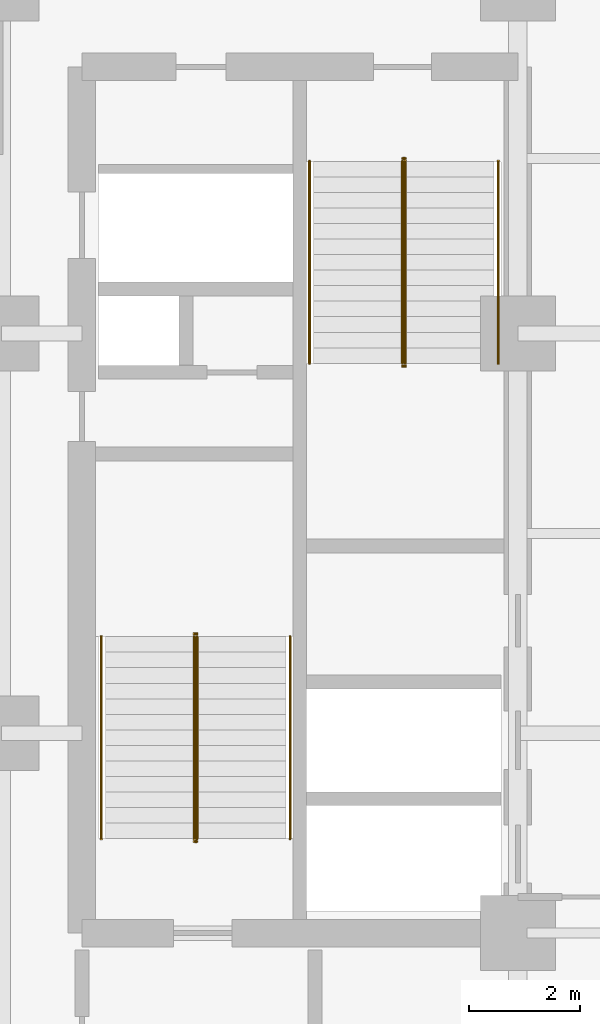
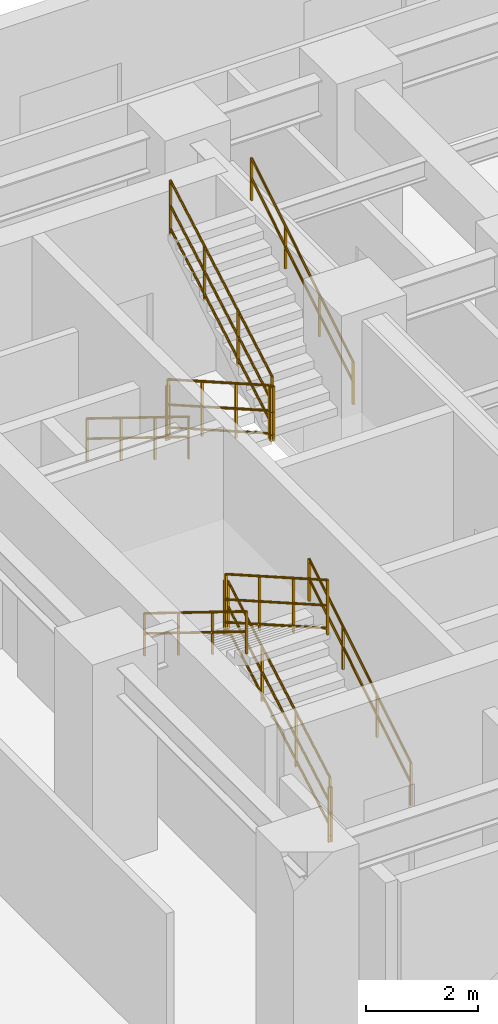
# One storey, part 8 of 9: 12 railings.
"""IFC4 building model written with IfcOpenShell, lengths in metres."""

from ifc_helpers import new_model, entity, si_unit, converted_unit, direction, frame, origin_with_axes, origin_2d_with_axis, place, context, subcontext, project, spatial, rectangle, circle, extrude, material, type_object, element, save


model = new_model("IFC4")

# Units and contexts
model_context = context("Model", 3, precision=1e-05, world=origin_with_axes(), true_north=direction((0.0, 1.0)))
body_context = subcontext(model_context, "Body", "Model", "MODEL_VIEW")
ifc_project = project(units=[si_unit("LENGTHUNIT", "METRE"), si_unit("AREAUNIT", "SQUARE_METRE"), si_unit("VOLUMEUNIT", "CUBIC_METRE"), converted_unit("PLANEANGLEUNIT", "DEGREE", entity("IfcPlaneAngleMeasure", 0.017453292519943295), si_unit("PLANEANGLEUNIT", "RADIAN"), dimensions=[0, 0, 0, 0, 0, 0, 0]), si_unit("MASSUNIT", "GRAM", prefix="KILO"), si_unit("THERMODYNAMICTEMPERATUREUNIT", "KELVIN")], contexts=[model_context])

# Site, building, storey
site_placement = place(None, origin_with_axes())
site = spatial("IfcSite", under=ifc_project, at=site_placement, CompositionType="ELEMENT")
building_placement = place(site_placement, origin_with_axes())
building = spatial("IfcBuilding", under=site, at=building_placement, Name="Varnlund Millrace Tower", CompositionType="ELEMENT")
storey_placement = place(building_placement, frame((0.0, 0.0, 84.6), z_axis=(0.0, 0.0, 1.0), x_axis=(1.0, 0.0, 0.0)))
storey = spatial("IfcBuildingStorey", under=building, at=storey_placement, Name="L20", CompositionType="ELEMENT", Elevation=84.6)

# Railings
ifc_material_1 = material(Name="Painted steel stair well balustrade guard", Category="steel")
railing_type_1 = type_object("IfcRailingType", Name="Type-StairGuard-1150", PredefinedType="GUARDRAIL", material=ifc_material_1)
railing_1_placement = place(storey_placement, frame((0.0, 0.0, -84.6), z_axis=(0.0, 0.0, 1.0), x_axis=(1.0, 0.0, 0.0)))
element("IfcRailing", 1, at=railing_1_placement, inside=storey, type_object=railing_type_1, Name="Type-StairGuard-1150", PredefinedType="GUARDRAIL", context=body_context, shape_type="SweptSolid", body=[
    extrude(circle(Radius=0.024, at=origin_2d_with_axis()), frame((42.275, 8.9, 85.923077), z_axis=(0.0, 0.868559, 0.495585), x_axis=(-1.0, 0.0, 0.0)), (0.0, 0.0, 1.0), 4.190848),
    extrude(circle(Radius=0.024, at=origin_2d_with_axis()), frame((42.275, 8.9, 84.873077), z_axis=(0.0, 0.868559, 0.495585), x_axis=(-1.0, 0.0, 0.0)), (0.0, 0.0, 1.0), 4.190848),
    extrude(circle(Radius=0.024, at=origin_2d_with_axis()), frame((42.275, 8.9, 85.371077), z_axis=(0.0, 0.868559, 0.495585), x_axis=(-1.0, 0.0, 0.0)), (0.0, 0.0, 1.0), 4.190848),
    extrude(rectangle(XDim=0.04, YDim=0.04, at=origin_2d_with_axis()), frame((42.275, 8.9, 84.733077), z_axis=(0.0, 0.0, 1.0), x_axis=(1.0, 0.0, 0.0)), (0.0, 0.0, 1.0), 1.19),
    extrude(rectangle(XDim=0.04, YDim=0.04, at=origin_2d_with_axis()), frame((42.275, 10.113333, 85.425385), z_axis=(0.0, 0.0, 1.0), x_axis=(1.0, 0.0, 0.0)), (0.0, 0.0, 1.0), 1.19),
    extrude(rectangle(XDim=0.04, YDim=0.04, at=origin_2d_with_axis()), frame((42.275, 11.326667, 86.117692), z_axis=(0.0, 0.0, 1.0), x_axis=(1.0, 0.0, 0.0)), (0.0, 0.0, 1.0), 1.19),
    extrude(rectangle(XDim=0.04, YDim=0.04, at=origin_2d_with_axis()), frame((42.275, 12.54, 86.81), z_axis=(0.0, 0.0, 1.0), x_axis=(1.0, 0.0, 0.0)), (0.0, 0.0, 1.0), 1.19),
])
railing_2_placement = place(storey_placement, frame((0.0, 0.0, -84.6), z_axis=(0.0, 0.0, 1.0), x_axis=(1.0, 0.0, 0.0)))
element("IfcRailing", 2, at=railing_2_placement, inside=storey, type_object=railing_type_1, Name="Type-StairGuard-1150", PredefinedType="GUARDRAIL", context=body_context, shape_type="SweptSolid", body=[
    extrude(circle(Radius=0.024, at=origin_2d_with_axis()), frame((42.225, 12.59, 88.0), z_axis=(1.0, 0.0, 0.0), x_axis=(0.0, 1.0, 0.0)), (0.0, 0.0, 1.0), 0.05),
    extrude(circle(Radius=0.024, at=origin_2d_with_axis()), frame((42.225, 12.59, 86.95), z_axis=(1.0, 0.0, 0.0), x_axis=(0.0, 1.0, 0.0)), (0.0, 0.0, 1.0), 0.05),
    extrude(circle(Radius=0.024, at=origin_2d_with_axis()), frame((42.225, 12.59, 87.448), z_axis=(1.0, 0.0, 0.0), x_axis=(0.0, 1.0, 0.0)), (0.0, 0.0, 1.0), 0.05),
    extrude(rectangle(XDim=0.04, YDim=0.04, at=origin_2d_with_axis()), frame((42.225, 12.59, 86.81), z_axis=(0.0, 0.0, 1.0), x_axis=(1.0, 0.0, 0.0)), (0.0, 0.0, 1.0), 1.19),
    extrude(rectangle(XDim=0.04, YDim=0.04, at=origin_2d_with_axis()), frame((42.275, 12.59, 86.81), z_axis=(0.0, 0.0, 1.0), x_axis=(1.0, 0.0, 0.0)), (0.0, 0.0, 1.0), 1.19),
])
railing_3_placement = place(storey_placement, frame((0.0, 0.0, -84.6), z_axis=(0.0, 0.0, 1.0), x_axis=(1.0, 0.0, 0.0)))
element("IfcRailing", 3, at=railing_3_placement, inside=storey, type_object=railing_type_1, Name="Type-StairGuard-1150", PredefinedType="GUARDRAIL", context=body_context, shape_type="SweptSolid", body=[
    extrude(circle(Radius=0.024, at=origin_2d_with_axis()), frame((42.225, 12.54, 88.173077), z_axis=(0.0, -0.868559, 0.495585), x_axis=(1.0, 0.0, 0.0)), (0.0, 0.0, 1.0), 4.190848),
    extrude(circle(Radius=0.024, at=origin_2d_with_axis()), frame((42.225, 12.54, 87.123077), z_axis=(0.0, -0.868559, 0.495585), x_axis=(1.0, 0.0, 0.0)), (0.0, 0.0, 1.0), 4.190848),
    extrude(circle(Radius=0.024, at=origin_2d_with_axis()), frame((42.225, 12.54, 87.621077), z_axis=(0.0, -0.868559, 0.495585), x_axis=(1.0, 0.0, 0.0)), (0.0, 0.0, 1.0), 4.190848),
    extrude(rectangle(XDim=0.04, YDim=0.04, at=origin_2d_with_axis()), frame((42.225, 12.54, 86.983077), z_axis=(0.0, 0.0, 1.0), x_axis=(1.0, 0.0, 0.0)), (0.0, 0.0, 1.0), 1.19),
    extrude(rectangle(XDim=0.04, YDim=0.04, at=origin_2d_with_axis()), frame((42.225, 11.326667, 87.675385), z_axis=(0.0, 0.0, 1.0), x_axis=(1.0, 0.0, 0.0)), (0.0, 0.0, 1.0), 1.19),
    extrude(rectangle(XDim=0.04, YDim=0.04, at=origin_2d_with_axis()), frame((42.225, 10.113333, 88.367692), z_axis=(0.0, 0.0, 1.0), x_axis=(1.0, 0.0, 0.0)), (0.0, 0.0, 1.0), 1.19),
    extrude(rectangle(XDim=0.04, YDim=0.04, at=origin_2d_with_axis()), frame((42.225, 8.9, 89.06), z_axis=(0.0, 0.0, 1.0), x_axis=(1.0, 0.0, 0.0)), (0.0, 0.0, 1.0), 1.19),
])
railing_4_placement = place(storey_placement, frame((0.0, 0.0, -84.6), z_axis=(0.0, 0.0, 1.0), x_axis=(1.0, 0.0, 0.0)))
element("IfcRailing", 4, at=railing_4_placement, inside=storey, type_object=railing_type_1, Name="Type-StairGuard-1150", PredefinedType="GUARDRAIL", context=body_context, shape_type="SweptSolid", body=[
    extrude(circle(Radius=0.024, at=origin_2d_with_axis()), frame((42.225, 8.85, 85.75), z_axis=(1.0, 0.0, 0.0), x_axis=(0.0, 1.0, 0.0)), (0.0, 0.0, 1.0), 0.05),
    extrude(circle(Radius=0.024, at=origin_2d_with_axis()), frame((42.225, 8.85, 84.7), z_axis=(1.0, 0.0, 0.0), x_axis=(0.0, 1.0, 0.0)), (0.0, 0.0, 1.0), 0.05),
    extrude(circle(Radius=0.024, at=origin_2d_with_axis()), frame((42.225, 8.85, 85.198), z_axis=(1.0, 0.0, 0.0), x_axis=(0.0, 1.0, 0.0)), (0.0, 0.0, 1.0), 0.05),
    extrude(rectangle(XDim=0.04, YDim=0.04, at=origin_2d_with_axis()), frame((42.225, 8.85, 84.56), z_axis=(0.0, 0.0, 1.0), x_axis=(1.0, 0.0, 0.0)), (0.0, 0.0, 1.0), 1.19),
    extrude(rectangle(XDim=0.04, YDim=0.04, at=origin_2d_with_axis()), frame((42.275, 8.85, 84.56), z_axis=(0.0, 0.0, 1.0), x_axis=(1.0, 0.0, 0.0)), (0.0, 0.0, 1.0), 1.19),
])
railing_5_placement = place(storey_placement, frame((0.0, 0.0, -84.6), z_axis=(0.0, 0.0, 1.0), x_axis=(1.0, 0.0, 0.0)))
element("IfcRailing", 5, at=railing_5_placement, inside=storey, type_object=railing_type_1, Name="Type-StairGuard-1150", PredefinedType="GUARDRAIL", context=body_context, shape_type="SweptSolid", body=[
    extrude(circle(Radius=0.024, at=origin_2d_with_axis()), frame((45.975, 21.1, 85.923077), z_axis=(0.0, -0.868559, 0.495585), x_axis=(1.0, 0.0, 0.0)), (0.0, 0.0, 1.0), 4.190848),
    extrude(circle(Radius=0.024, at=origin_2d_with_axis()), frame((45.975, 21.1, 84.873077), z_axis=(0.0, -0.868559, 0.495585), x_axis=(1.0, 0.0, 0.0)), (0.0, 0.0, 1.0), 4.190848),
    extrude(circle(Radius=0.024, at=origin_2d_with_axis()), frame((45.975, 21.1, 85.371077), z_axis=(0.0, -0.868559, 0.495585), x_axis=(1.0, 0.0, 0.0)), (0.0, 0.0, 1.0), 4.190848),
    extrude(rectangle(XDim=0.04, YDim=0.04, at=origin_2d_with_axis()), frame((45.975, 21.1, 84.733077), z_axis=(0.0, 0.0, 1.0), x_axis=(1.0, 0.0, 0.0)), (0.0, 0.0, 1.0), 1.19),
    extrude(rectangle(XDim=0.04, YDim=0.04, at=origin_2d_with_axis()), frame((45.975, 19.886667, 85.425385), z_axis=(0.0, 0.0, 1.0), x_axis=(1.0, 0.0, 0.0)), (0.0, 0.0, 1.0), 1.19),
    extrude(rectangle(XDim=0.04, YDim=0.04, at=origin_2d_with_axis()), frame((45.975, 18.673333, 86.117692), z_axis=(0.0, 0.0, 1.0), x_axis=(1.0, 0.0, 0.0)), (0.0, 0.0, 1.0), 1.19),
    extrude(rectangle(XDim=0.04, YDim=0.04, at=origin_2d_with_axis()), frame((45.975, 17.46, 86.81), z_axis=(0.0, 0.0, 1.0), x_axis=(1.0, 0.0, 0.0)), (0.0, 0.0, 1.0), 1.19),
])
railing_6_placement = place(storey_placement, frame((0.0, 0.0, -84.6), z_axis=(0.0, 0.0, 1.0), x_axis=(1.0, 0.0, 0.0)))
element("IfcRailing", 6, at=railing_6_placement, inside=storey, type_object=railing_type_1, Name="Type-StairGuard-1150", PredefinedType="GUARDRAIL", context=body_context, shape_type="SweptSolid", body=[
    extrude(circle(Radius=0.024, at=origin_2d_with_axis()), frame((46.025, 17.41, 88.0), z_axis=(-1.0, 0.0, 0.0), x_axis=(0.0, -1.0, 0.0)), (0.0, 0.0, 1.0), 0.05),
    extrude(circle(Radius=0.024, at=origin_2d_with_axis()), frame((46.025, 17.41, 86.95), z_axis=(-1.0, 0.0, 0.0), x_axis=(0.0, -1.0, 0.0)), (0.0, 0.0, 1.0), 0.05),
    extrude(circle(Radius=0.024, at=origin_2d_with_axis()), frame((46.025, 17.41, 87.448), z_axis=(-1.0, 0.0, 0.0), x_axis=(0.0, -1.0, 0.0)), (0.0, 0.0, 1.0), 0.05),
    extrude(rectangle(XDim=0.04, YDim=0.04, at=origin_2d_with_axis()), frame((46.025, 17.41, 86.81), z_axis=(0.0, 0.0, 1.0), x_axis=(1.0, 0.0, 0.0)), (0.0, 0.0, 1.0), 1.19),
    extrude(rectangle(XDim=0.04, YDim=0.04, at=origin_2d_with_axis()), frame((45.975, 17.41, 86.81), z_axis=(0.0, 0.0, 1.0), x_axis=(1.0, 0.0, 0.0)), (0.0, 0.0, 1.0), 1.19),
])
railing_7_placement = place(storey_placement, frame((0.0, 0.0, -84.6), z_axis=(0.0, 0.0, 1.0), x_axis=(1.0, 0.0, 0.0)))
element("IfcRailing", 7, at=railing_7_placement, inside=storey, type_object=railing_type_1, Name="Type-StairGuard-1150", PredefinedType="GUARDRAIL", context=body_context, shape_type="SweptSolid", body=[
    extrude(circle(Radius=0.024, at=origin_2d_with_axis()), frame((46.025, 17.46, 88.173077), z_axis=(0.0, 0.868559, 0.495585), x_axis=(-1.0, 0.0, 0.0)), (0.0, 0.0, 1.0), 4.190848),
    extrude(circle(Radius=0.024, at=origin_2d_with_axis()), frame((46.025, 17.46, 87.123077), z_axis=(0.0, 0.868559, 0.495585), x_axis=(-1.0, 0.0, 0.0)), (0.0, 0.0, 1.0), 4.190848),
    extrude(circle(Radius=0.024, at=origin_2d_with_axis()), frame((46.025, 17.46, 87.621077), z_axis=(0.0, 0.868559, 0.495585), x_axis=(-1.0, 0.0, 0.0)), (0.0, 0.0, 1.0), 4.190848),
    extrude(rectangle(XDim=0.04, YDim=0.04, at=origin_2d_with_axis()), frame((46.025, 17.46, 86.983077), z_axis=(0.0, 0.0, 1.0), x_axis=(1.0, 0.0, 0.0)), (0.0, 0.0, 1.0), 1.19),
    extrude(rectangle(XDim=0.04, YDim=0.04, at=origin_2d_with_axis()), frame((46.025, 18.673333, 87.675385), z_axis=(0.0, 0.0, 1.0), x_axis=(1.0, 0.0, 0.0)), (0.0, 0.0, 1.0), 1.19),
    extrude(rectangle(XDim=0.04, YDim=0.04, at=origin_2d_with_axis()), frame((46.025, 19.886667, 88.367692), z_axis=(0.0, 0.0, 1.0), x_axis=(1.0, 0.0, 0.0)), (0.0, 0.0, 1.0), 1.19),
    extrude(rectangle(XDim=0.04, YDim=0.04, at=origin_2d_with_axis()), frame((46.025, 21.1, 89.06), z_axis=(0.0, 0.0, 1.0), x_axis=(1.0, 0.0, 0.0)), (0.0, 0.0, 1.0), 1.19),
])
railing_8_placement = place(storey_placement, frame((0.0, 0.0, -84.6), z_axis=(0.0, 0.0, 1.0), x_axis=(1.0, 0.0, 0.0)))
element("IfcRailing", 8, at=railing_8_placement, inside=storey, type_object=railing_type_1, Name="Type-StairGuard-1150", PredefinedType="GUARDRAIL", context=body_context, shape_type="SweptSolid", body=[
    extrude(circle(Radius=0.024, at=origin_2d_with_axis()), frame((46.025, 21.15, 85.75), z_axis=(-1.0, 0.0, 0.0), x_axis=(0.0, -1.0, 0.0)), (0.0, 0.0, 1.0), 0.05),
    extrude(circle(Radius=0.024, at=origin_2d_with_axis()), frame((46.025, 21.15, 84.7), z_axis=(-1.0, 0.0, 0.0), x_axis=(0.0, -1.0, 0.0)), (0.0, 0.0, 1.0), 0.05),
    extrude(circle(Radius=0.024, at=origin_2d_with_axis()), frame((46.025, 21.15, 85.198), z_axis=(-1.0, 0.0, 0.0), x_axis=(0.0, -1.0, 0.0)), (0.0, 0.0, 1.0), 0.05),
    extrude(rectangle(XDim=0.04, YDim=0.04, at=origin_2d_with_axis()), frame((46.025, 21.15, 84.56), z_axis=(0.0, 0.0, 1.0), x_axis=(1.0, 0.0, 0.0)), (0.0, 0.0, 1.0), 1.19),
    extrude(rectangle(XDim=0.04, YDim=0.04, at=origin_2d_with_axis()), frame((45.975, 21.15, 84.56), z_axis=(0.0, 0.0, 1.0), x_axis=(1.0, 0.0, 0.0)), (0.0, 0.0, 1.0), 1.19),
])
ifc_material_2 = material(Name="Brushed architectural bronze stair handrail", Category="aluminium")
railing_type_2 = type_object("IfcRailingType", Name="Type-StairHandrail-900", PredefinedType="HANDRAIL", material=ifc_material_2)
railing_9_placement = place(storey_placement, frame((0.0, 0.0, -84.6), z_axis=(0.0, 0.0, 1.0), x_axis=(1.0, 0.0, 0.0)))
element("IfcRailing", 9, at=railing_9_placement, inside=storey, type_object=railing_type_2, Name="Type-StairHandrail-900", PredefinedType="HANDRAIL", context=body_context, shape_type="SweptSolid", body=[
    extrude(circle(Radius=0.024, at=origin_2d_with_axis()), frame((43.95, 8.9, 85.652662), z_axis=(0.0, 0.850614, 0.525791), x_axis=(-1.0, 0.0, 0.0)), (0.0, 0.0, 1.0), 4.279264),
    extrude(circle(Radius=0.024, at=origin_2d_with_axis()), frame((43.95, 8.9, 85.21287), z_axis=(0.0, 0.850614, 0.525791), x_axis=(-1.0, 0.0, 0.0)), (0.0, 0.0, 1.0), 4.279264),
    extrude(rectangle(XDim=0.04, YDim=0.04, at=origin_2d_with_axis()), frame((43.95, 8.9, 84.733077), z_axis=(0.0, 0.0, 1.0), x_axis=(1.0, 0.0, 0.0)), (0.0, 0.0, 1.0), 0.919585),
    extrude(rectangle(XDim=0.04, YDim=0.04, at=origin_2d_with_axis()), frame((43.95, 10.113333, 85.483077), z_axis=(0.0, 0.0, 1.0), x_axis=(1.0, 0.0, 0.0)), (0.0, 0.0, 1.0), 0.919585),
    extrude(rectangle(XDim=0.04, YDim=0.04, at=origin_2d_with_axis()), frame((43.95, 11.326667, 86.233077), z_axis=(0.0, 0.0, 1.0), x_axis=(1.0, 0.0, 0.0)), (0.0, 0.0, 1.0), 0.919585),
    extrude(rectangle(XDim=0.04, YDim=0.04, at=origin_2d_with_axis()), frame((43.95, 12.54, 86.983077), z_axis=(0.0, 0.0, 1.0), x_axis=(1.0, 0.0, 0.0)), (0.0, 0.0, 1.0), 0.919585),
])
railing_10_placement = place(storey_placement, frame((0.0, 0.0, -84.6), z_axis=(0.0, 0.0, 1.0), x_axis=(1.0, 0.0, 0.0)))
element("IfcRailing", 10, at=railing_10_placement, inside=storey, type_object=railing_type_2, Name="Type-StairHandrail-900", PredefinedType="HANDRAIL", context=body_context, shape_type="SweptSolid", body=[
    extrude(circle(Radius=0.024, at=origin_2d_with_axis()), frame((40.55, 12.54, 87.902662), z_axis=(0.0, -0.850614, 0.525791), x_axis=(1.0, 0.0, 0.0)), (0.0, 0.0, 1.0), 4.279264),
    extrude(circle(Radius=0.024, at=origin_2d_with_axis()), frame((40.55, 12.54, 87.46287), z_axis=(0.0, -0.850614, 0.525791), x_axis=(1.0, 0.0, 0.0)), (0.0, 0.0, 1.0), 4.279264),
    extrude(rectangle(XDim=0.04, YDim=0.04, at=origin_2d_with_axis()), frame((40.55, 12.54, 86.983077), z_axis=(0.0, 0.0, 1.0), x_axis=(1.0, 0.0, 0.0)), (0.0, 0.0, 1.0), 0.919585),
    extrude(rectangle(XDim=0.04, YDim=0.04, at=origin_2d_with_axis()), frame((40.55, 11.326667, 87.733077), z_axis=(0.0, 0.0, 1.0), x_axis=(1.0, 0.0, 0.0)), (0.0, 0.0, 1.0), 0.919585),
    extrude(rectangle(XDim=0.04, YDim=0.04, at=origin_2d_with_axis()), frame((40.55, 10.113333, 88.483077), z_axis=(0.0, 0.0, 1.0), x_axis=(1.0, 0.0, 0.0)), (0.0, 0.0, 1.0), 0.919585),
    extrude(rectangle(XDim=0.04, YDim=0.04, at=origin_2d_with_axis()), frame((40.55, 8.9, 89.233077), z_axis=(0.0, 0.0, 1.0), x_axis=(1.0, 0.0, 0.0)), (0.0, 0.0, 1.0), 0.919585),
])
railing_11_placement = place(storey_placement, frame((0.0, 0.0, -84.6), z_axis=(0.0, 0.0, 1.0), x_axis=(1.0, 0.0, 0.0)))
element("IfcRailing", 11, at=railing_11_placement, inside=storey, type_object=railing_type_2, Name="Type-StairHandrail-900", PredefinedType="HANDRAIL", context=body_context, shape_type="SweptSolid", body=[
    extrude(circle(Radius=0.024, at=origin_2d_with_axis()), frame((44.3, 21.1, 85.652662), z_axis=(0.0, -0.850614, 0.525791), x_axis=(1.0, 0.0, 0.0)), (0.0, 0.0, 1.0), 4.279264),
    extrude(circle(Radius=0.024, at=origin_2d_with_axis()), frame((44.3, 21.1, 85.21287), z_axis=(0.0, -0.850614, 0.525791), x_axis=(1.0, 0.0, 0.0)), (0.0, 0.0, 1.0), 4.279264),
    extrude(rectangle(XDim=0.04, YDim=0.04, at=origin_2d_with_axis()), frame((44.3, 21.1, 84.733077), z_axis=(0.0, 0.0, 1.0), x_axis=(1.0, 0.0, 0.0)), (0.0, 0.0, 1.0), 0.919585),
    extrude(rectangle(XDim=0.04, YDim=0.04, at=origin_2d_with_axis()), frame((44.3, 19.886667, 85.483077), z_axis=(0.0, 0.0, 1.0), x_axis=(1.0, 0.0, 0.0)), (0.0, 0.0, 1.0), 0.919585),
    extrude(rectangle(XDim=0.04, YDim=0.04, at=origin_2d_with_axis()), frame((44.3, 18.673333, 86.233077), z_axis=(0.0, 0.0, 1.0), x_axis=(1.0, 0.0, 0.0)), (0.0, 0.0, 1.0), 0.919585),
    extrude(rectangle(XDim=0.04, YDim=0.04, at=origin_2d_with_axis()), frame((44.3, 17.46, 86.983077), z_axis=(0.0, 0.0, 1.0), x_axis=(1.0, 0.0, 0.0)), (0.0, 0.0, 1.0), 0.919585),
])
railing_12_placement = place(storey_placement, frame((0.0, 0.0, -84.6), z_axis=(0.0, 0.0, 1.0), x_axis=(1.0, 0.0, 0.0)))
element("IfcRailing", 12, at=railing_12_placement, inside=storey, type_object=railing_type_2, Name="Type-StairHandrail-900", PredefinedType="HANDRAIL", context=body_context, shape_type="SweptSolid", body=[
    extrude(circle(Radius=0.024, at=origin_2d_with_axis()), frame((47.7, 17.46, 87.902662), z_axis=(0.0, 0.850614, 0.525791), x_axis=(-1.0, 0.0, 0.0)), (0.0, 0.0, 1.0), 4.279264),
    extrude(circle(Radius=0.024, at=origin_2d_with_axis()), frame((47.7, 17.46, 87.46287), z_axis=(0.0, 0.850614, 0.525791), x_axis=(-1.0, 0.0, 0.0)), (0.0, 0.0, 1.0), 4.279264),
    extrude(rectangle(XDim=0.04, YDim=0.04, at=origin_2d_with_axis()), frame((47.7, 17.46, 86.983077), z_axis=(0.0, 0.0, 1.0), x_axis=(1.0, 0.0, 0.0)), (0.0, 0.0, 1.0), 0.919585),
    extrude(rectangle(XDim=0.04, YDim=0.04, at=origin_2d_with_axis()), frame((47.7, 18.673333, 87.733077), z_axis=(0.0, 0.0, 1.0), x_axis=(1.0, 0.0, 0.0)), (0.0, 0.0, 1.0), 0.919585),
    extrude(rectangle(XDim=0.04, YDim=0.04, at=origin_2d_with_axis()), frame((47.7, 19.886667, 88.483077), z_axis=(0.0, 0.0, 1.0), x_axis=(1.0, 0.0, 0.0)), (0.0, 0.0, 1.0), 0.919585),
    extrude(rectangle(XDim=0.04, YDim=0.04, at=origin_2d_with_axis()), frame((47.7, 21.1, 89.233077), z_axis=(0.0, 0.0, 1.0), x_axis=(1.0, 0.0, 0.0)), (0.0, 0.0, 1.0), 0.919585),
])

save(model, "model.ifc")
